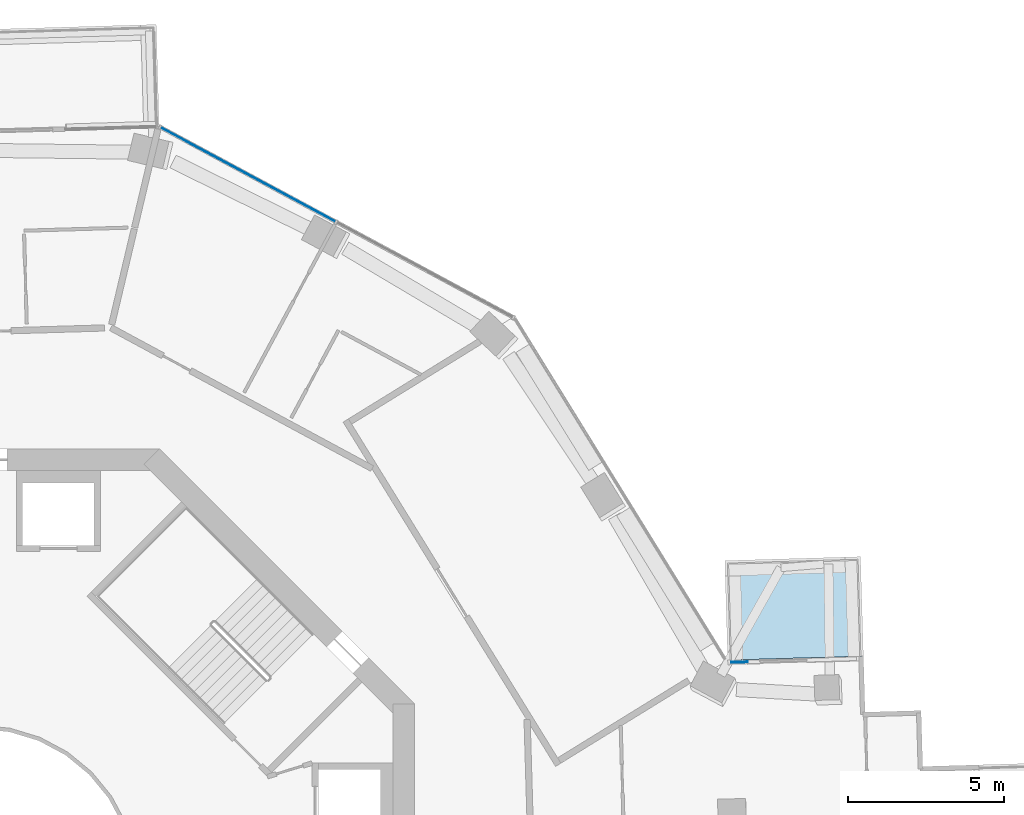
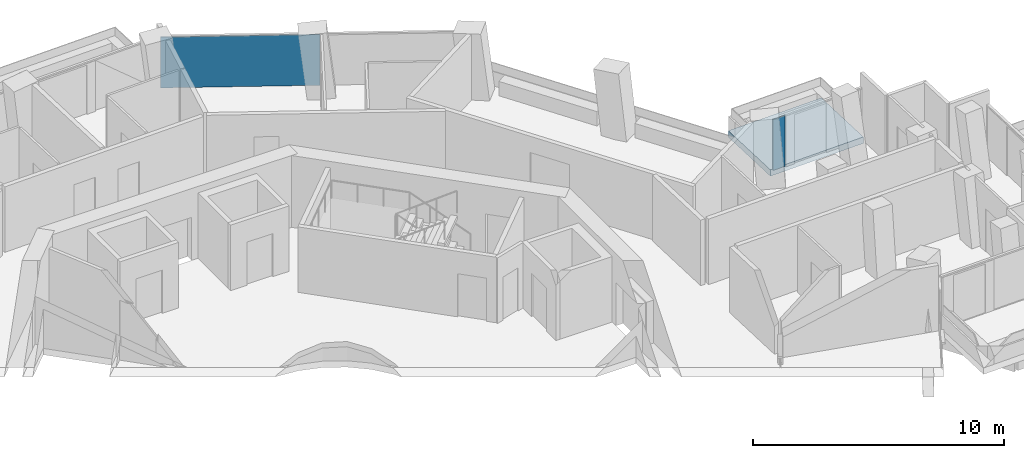
# One storey, part 13 of 22: 2 plates, 1 slab, 2 elements without a shape of their own.
"""IFC4 building model written with IfcOpenShell, lengths in metres."""

import ifcopenshell
import ifcopenshell.guid

model = None  # the IFC model being written
_history = None  # IfcOwnerHistory: only IFC2X3 demands one
_inside = {}  # id of a spatial element -> (the spatial element, [elements in it])
_under = {}  # id of a project, library or spatial element -> (it, [spatial elements below it])
_declared = {}  # id of a project -> (the project, [libraries it declares])
_typed = {}  # id of a type object -> (the type object, [elements of that type])
_made_of = {}  # id of a material, layer set ... -> (it, [elements and type objects made of it])


def new_model(schema):
    """Start an empty IFC model of exactly this schema.

    Asked for "IFC4X3", IfcOpenShell would pick the latest addendum, in which some entities
    have other attributes; the version numbers below select the first issue.
    IFC2X3 requires an IfcOwnerHistory on every rooted entity: one is made here for all.
    """
    global model, _history
    if schema == "IFC4X3":
        model = ifcopenshell.file(schema_version=(4, 3, 0, 0))
    else:
        model = ifcopenshell.file(schema=schema)
    _inside.clear()
    _under.clear()
    _declared.clear()
    _typed.clear()
    _made_of.clear()
    _history = None
    if model.schema == "IFC2X3":
        org = make("IfcOrganization", Name="unknown")
        user = make(
            "IfcPersonAndOrganization",
            ThePerson=make("IfcPerson", FamilyName="unknown"),
            TheOrganization=org,
        )
        app = make(
            "IfcApplication",
            ApplicationDeveloper=org,
            Version="unknown",
            ApplicationFullName="unknown",
            ApplicationIdentifier="unknown",
        )
        _history = make(
            "IfcOwnerHistory",
            OwningUser=user,
            OwningApplication=app,
            ChangeAction="ADDED",
            CreationDate=0,
        )
    return model


def make(cls, **values):
    """One entity of the class cls with the attributes given. An attribute that is None is left unset."""
    return model.create_entity(
        cls, **{name: value for name, value in values.items() if value is not None}
    )


def rooted(cls, **values):
    """An entity with a GlobalId (a new one), such as an element, a storey or a relation."""
    return make(cls, GlobalId=ifcopenshell.guid.new(), OwnerHistory=_history, **values)


def si_unit(unit_type, name, prefix=None):
    """IfcSIUnit, for example si_unit("LENGTHUNIT", "METRE", prefix="MILLI")."""
    return make("IfcSIUnit", UnitType=unit_type, Prefix=prefix, Name=name)


def assignment(units):
    """IfcUnitAssignment: the units of a project."""
    return None if units is None else make("IfcUnitAssignment", Units=units)


def point(xyz):
    """IfcCartesianPoint."""
    return None if xyz is None else make("IfcCartesianPoint", Coordinates=xyz)


def direction(xyz):
    """IfcDirection."""
    return None if xyz is None else make("IfcDirection", DirectionRatios=xyz)


def frame(location, z_axis=None, x_axis=None):
    """IfcAxis2Placement3D, a coordinate frame: its origin and axes. An axis left out is left unset."""
    return make(
        "IfcAxis2Placement3D",
        Location=point(location),
        Axis=direction(z_axis),
        RefDirection=direction(x_axis),
    )


def frame_2d(location, x_axis=None):
    """IfcAxis2Placement2D, a coordinate frame in the plane: its origin and x axis."""
    return make(
        "IfcAxis2Placement2D", Location=point(location), RefDirection=direction(x_axis)
    )


def origin():
    """The frame at (0, 0, 0) with its axes left unset."""
    return frame((0.0, 0.0, 0.0))


def origin_2d():
    """The frame at (0, 0) in the plane with its x axis left unset."""
    return frame_2d((0.0, 0.0))


def place(relative_to, where):
    """IfcLocalPlacement: puts the frame where relative to a parent placement (None: the world)."""
    return make(
        "IfcLocalPlacement", PlacementRelTo=relative_to, RelativePlacement=where
    )


def context(
    kind, dimensions, precision=None, world=None, true_north=None, identifier=None
):
    """IfcGeometricRepresentationContext, for example the 3D "Model" context."""
    return make(
        "IfcGeometricRepresentationContext",
        ContextIdentifier=identifier,
        ContextType=kind,
        CoordinateSpaceDimension=dimensions,
        Precision=precision,
        WorldCoordinateSystem=world,
        TrueNorth=true_north,
    )


def subcontext(parent, identifier, kind, view, scale=None):
    """IfcGeometricRepresentationSubContext, for example "Body" below "Model"."""
    return make(
        "IfcGeometricRepresentationSubContext",
        ContextIdentifier=identifier,
        ContextType=kind,
        ParentContext=parent,
        TargetScale=scale,
        TargetView=view,
    )


def project(units=None, contexts=None):
    """IfcProject with its units and contexts."""
    return rooted(
        "IfcProject",
        Name="project",
        RepresentationContexts=contexts,
        UnitsInContext=assignment(units),
    )


def spatial(cls, under=None, at=None, **own):
    """A site, building, storey or space (cls), placed at a placement, below another one or the project."""
    s = rooted(cls, ObjectPlacement=at, **own)
    if under is not None:
        _under.setdefault(under.id(), (under, []))[1].append(s)
    return s


def polyline(points):
    """IfcPolyline through the points."""
    return make("IfcPolyline", Points=[point(p) for p in points])


def profile(cls, at=None, kind="AREA", **sizes):
    """A parametric profile (cls). Its sizes go by their IFC names, for example OverallWidth=200.0."""
    return make(cls, ProfileType=kind, Position=at, **sizes)


def rectangle(**sizes):
    """IfcRectangleProfileDef."""
    return profile("IfcRectangleProfileDef", **sizes)


def outline(outer, holes=None, kind="AREA"):
    """IfcArbitraryClosedProfileDef: a profile drawn as a closed curve; with holes, ...WithVoids."""
    if holes is None:
        return make("IfcArbitraryClosedProfileDef", ProfileType=kind, OuterCurve=outer)
    return make(
        "IfcArbitraryProfileDefWithVoids",
        ProfileType=kind,
        OuterCurve=outer,
        InnerCurves=holes,
    )


def extrude(swept, where, along, depth):
    """IfcExtrudedAreaSolid: the profile swept, set in the frame where, extruded along a direction by depth."""
    return make(
        "IfcExtrudedAreaSolid",
        SweptArea=swept,
        Position=where,
        ExtrudedDirection=direction(along),
        Depth=depth,
    )


def shape(context_of_items, identifier, shape_type, items):
    """IfcShapeRepresentation: the items that make up one representation, for example the "Body"."""
    return make(
        "IfcShapeRepresentation",
        ContextOfItems=context_of_items,
        RepresentationIdentifier=identifier,
        RepresentationType=shape_type,
        Items=items,
    )


def material(Name=None, Category=None):
    """IfcMaterial."""
    return make("IfcMaterial", Name=Name, Category=Category)


def layer(
    of_material, thickness, ventilated=None, Name=None, Category=None, Priority=None
):
    """IfcMaterialLayer: one layer of a wall or slab, of a material (None: an air gap)."""
    return make(
        "IfcMaterialLayer",
        Material=of_material,
        LayerThickness=thickness,
        IsVentilated=ventilated,
        Name=Name,
        Category=Category,
        Priority=Priority,
    )


def layer_set(layers, Name=None):
    """IfcMaterialLayerSet."""
    return make("IfcMaterialLayerSet", MaterialLayers=layers, LayerSetName=Name)


def made_of(thing, what):
    """Note that an element or type object is made of a material, layer set ...; save() writes the relation."""
    if what is not None:
        _made_of.setdefault(what.id(), (what, []))[1].append(thing)
    return thing


def type_object(cls, material=None, **own):
    """A type object (cls), such as IfcWallType, which elements share."""
    return made_of(rooted(cls, **own), material)


def element(
    cls,
    number,
    at=None,
    inside=None,
    cuts=None,
    type_object=None,
    material=None,
    context=None,
    identifier="Body",
    shape_type=None,
    held_by="IfcProductDefinitionShape",
    body=None,
    shapes=None,
    **own,
):
    """One element of the class cls, such as IfcWall. Its Tag is "e" and its number.

    at: its placement. inside: the storey or other place that contains it. cuts: it is an
    opening in that element (IfcRelVoidsElement). A single representation is given by context,
    identifier, shape_type and body (its items); several are given by shapes. held_by: the class
    of the entity that holds the representations. save() writes the other relations.
    """
    e = rooted(cls, Tag="e%d" % number, ObjectPlacement=at, **own)
    if body is not None:
        shapes = [shape(context, identifier, shape_type, body)]
    if shapes is not None:
        e.Representation = make(held_by, Representations=shapes)
    if inside is not None:
        _inside.setdefault(inside.id(), (inside, []))[1].append(e)
    if cuts is not None:
        rooted(
            "IfcRelVoidsElement", RelatingBuildingElement=cuts, RelatedOpeningElement=e
        )
    if type_object is not None:
        _typed.setdefault(type_object.id(), (type_object, []))[1].append(e)
    return made_of(e, material)


def aggregate(whole, parts):
    """IfcRelAggregates: a whole, such as a stair, and the parts it consists of."""
    return rooted("IfcRelAggregates", RelatingObject=whole, RelatedObjects=parts)


def save(model, path):
    """Write the relations noted so far, then the file.

    IfcRelAggregates (storeys below a building ...), IfcRelContainedInSpatialStructure (elements
    in a storey), IfcRelDefinesByType, IfcRelAssociatesMaterial and IfcRelDeclares: one each for
    every whole, place, type object, material and project.
    """
    for whole, parts in _under.values():
        aggregate(whole, parts)
    for where, things in _inside.values():
        rooted(
            "IfcRelContainedInSpatialStructure",
            RelatedElements=things,
            RelatingStructure=where,
        )
    for kind, things in _typed.values():
        rooted("IfcRelDefinesByType", RelatedObjects=things, RelatingType=kind)
    for what, things in _made_of.values():
        rooted("IfcRelAssociatesMaterial", RelatedObjects=things, RelatingMaterial=what)
    for by, libraries in _declared.values():
        rooted("IfcRelDeclares", RelatingContext=by, RelatedDefinitions=libraries)
    model.write(path)


model = new_model("IFC4")

# Units and contexts
model_context = context("Model", 3, precision=1e-05, world=origin(), true_north=direction((0.0, 1.0)))
body_context = subcontext(model_context, "Body", "Model", "MODEL_VIEW")
ifc_project = project(units=[si_unit("LENGTHUNIT", "METRE"), si_unit("AREAUNIT", "SQUARE_METRE"), si_unit("VOLUMEUNIT", "CUBIC_METRE"), si_unit("PLANEANGLEUNIT", "RADIAN"), si_unit("MASSUNIT", "GRAM", prefix="KILO")], contexts=[model_context])

# Site, building, storey
site_placement = place(None, origin())
site = spatial("IfcSite", under=ifc_project, at=site_placement, CompositionType="ELEMENT")
building_placement = place(site_placement, origin())
building = spatial("IfcBuilding", under=site, at=building_placement, Name="Verdalira Terraces Hotel", CompositionType="ELEMENT")
storey_placement = place(building_placement, frame((0.0, 0.0, 162.0)))
storey = spatial("IfcBuildingStorey", under=building, at=storey_placement, Name="L39", CompositionType="ELEMENT", Elevation=162.0)

# Slab
ifc_material_1 = material(Name="Precast concrete C40/50", Category="concrete")
ifc_layer_1 = layer(ifc_material_1, 0.31005859375)
ifc_layer_set_1 = layer_set([ifc_layer_1], Name="Balcony deck 310")
slab_type = type_object("IfcSlabType", Name="Balcony deck 310", PredefinedType="FLOOR", material=ifc_layer_set_1)
slab_placement = place(storey_placement, frame((0.0, 0.0, -0.310059)))
element("IfcSlab", 1, at=slab_placement, inside=storey, type_object=slab_type, Name="Balcony deck", PredefinedType="FLOOR", context=body_context, shape_type="SweptSolid", body=[
    extrude(outline(polyline([(23.963623, 10.406982), (24.057373, 7.208496), (28.418701, 7.336426), (28.324707, 10.534912), (23.963623, 10.406982)])), origin(), (0.0, 0.0, 1.0), 0.310059),
])

# Curtain wall, plate
ifc_material_2 = material(Name="Clear glass", Category="glass")
ifc_layer_2 = layer(ifc_material_2, 0.14990234375)
ifc_layer_set_2 = layer_set([ifc_layer_2], Name="CW1 curtain wall")
curtain_wall_type_1 = type_object("IfcCurtainWallType", Name="CW1 curtain wall", PredefinedType="NOTDEFINED", material=ifc_layer_set_2)
curtain_wall_1_placement = place(storey_placement, origin())
curtain_wall_1 = element("IfcCurtainWall", 2, at=curtain_wall_1_placement, inside=storey, type_object=curtain_wall_type_1, Name="CW1 curtain wall L39 edge 40", PredefinedType="NOTDEFINED")
ifc_material_3 = material(Name="Clear glass", Category="glass")
ifc_layer_3 = layer(ifc_material_3, 0.028076171875)
ifc_layer_set_3 = layer_set([ifc_layer_3], Name="CW1 glass unit 28")
plate_type_1 = type_object("IfcPlateType", Name="CW1 glass unit 28", PredefinedType="CURTAIN_PANEL", material=ifc_layer_set_3)
plate_1_placement = place(storey_placement, frame((8.642334, 22.813965, 0.0), z_axis=(0.0, 0.0, 1.0), x_axis=(-0.880311812, 0.474395525, 0.0)))
plate_1 = element("IfcPlate", 3, at=plate_1_placement, type_object=plate_type_1, Name="CW1 glass unit", PredefinedType="CURTAIN_PANEL", context=body_context, shape_type="SweptSolid", body=[
    extrude(rectangle(XDim=6.369873, YDim=0.028076, at=origin_2d()), origin(), (0.0, 0.0, 1.0), 2.475098),
])
aggregate(curtain_wall_1, [plate_1])

ifc_material_4 = material(Name="Clear glass", Category="glass")
ifc_layer_4 = layer(ifc_material_4, 0.14990234375)
ifc_layer_set_4 = layer_set([ifc_layer_4], Name="CW2 curtain wall")
curtain_wall_type_2 = type_object("IfcCurtainWallType", Name="CW2 curtain wall", PredefinedType="NOTDEFINED", material=ifc_layer_set_4)
curtain_wall_2_placement = place(storey_placement, origin())
curtain_wall_2 = element("IfcCurtainWall", 4, at=curtain_wall_2_placement, inside=storey, type_object=curtain_wall_type_2, Name="CW2 curtain wall L39 edge 38", PredefinedType="NOTDEFINED")
ifc_material_5 = material(Name="Clear glass", Category="glass")
ifc_layer_5 = layer(ifc_material_5, 0.031982421875)
ifc_layer_set_5 = layer_set([ifc_layer_5], Name="CW2 glass unit 32")
plate_type_2 = type_object("IfcPlateType", Name="CW2 glass unit 32", PredefinedType="CURTAIN_PANEL", material=ifc_layer_set_5)
plate_2_placement = place(storey_placement, frame((24.412354, 7.143799, 0.0), z_axis=(0.0, 0.0, 1.0), x_axis=(-0.999570155, -0.02931733, 0.0)))
plate_2 = element("IfcPlate", 5, at=plate_2_placement, type_object=plate_type_2, Name="CW2 glass unit", PredefinedType="CURTAIN_PANEL", context=body_context, shape_type="SweptSolid", body=[
    extrude(rectangle(XDim=0.565674, YDim=0.031982, at=origin_2d()), origin(), (0.0, 0.0, 1.0), 2.475098),
])
aggregate(curtain_wall_2, [plate_2])

save(model, "model.ifc")
